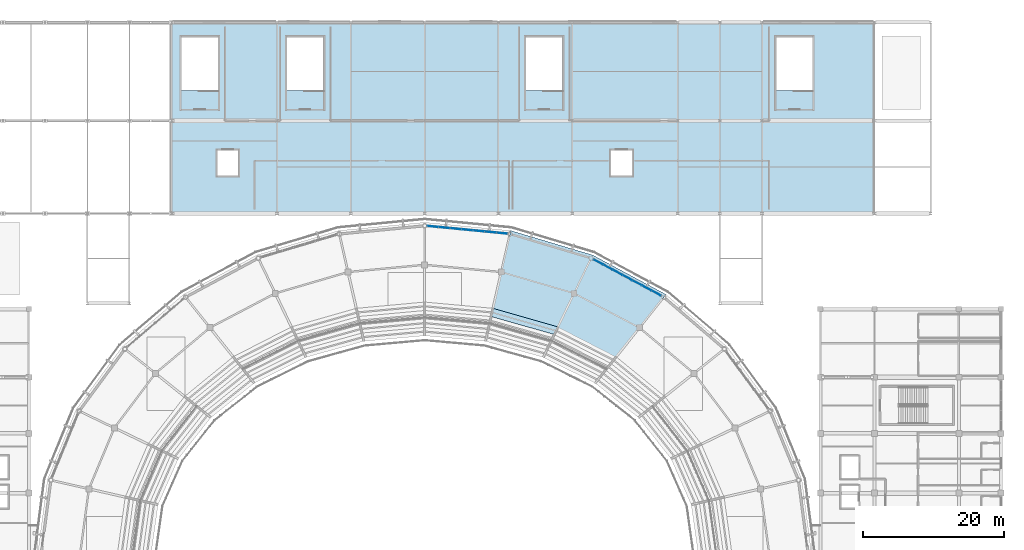
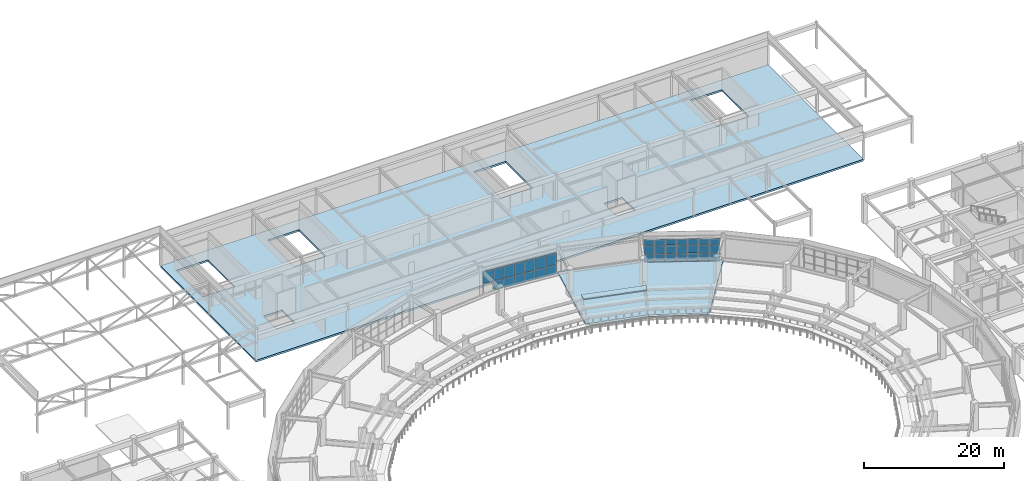
# One storey, part 86 of 122: 34 plates, 3 slabs, 2 elements without a shape of their own.
"""IFC4 building model written with IfcOpenShell, lengths in metres."""

import ifcopenshell
import ifcopenshell.guid

model = None  # the IFC model being written
_history = None  # IfcOwnerHistory: only IFC2X3 demands one
_inside = {}  # id of a spatial element -> (the spatial element, [elements in it])
_under = {}  # id of a project, library or spatial element -> (it, [spatial elements below it])
_declared = {}  # id of a project -> (the project, [libraries it declares])
_typed = {}  # id of a type object -> (the type object, [elements of that type])
_made_of = {}  # id of a material, layer set ... -> (it, [elements and type objects made of it])


def new_model(schema):
    """Start an empty IFC model of exactly this schema.

    Asked for "IFC4X3", IfcOpenShell would pick the latest addendum, in which some entities
    have other attributes; the version numbers below select the first issue.
    IFC2X3 requires an IfcOwnerHistory on every rooted entity: one is made here for all.
    """
    global model, _history
    if schema == "IFC4X3":
        model = ifcopenshell.file(schema_version=(4, 3, 0, 0))
    else:
        model = ifcopenshell.file(schema=schema)
    _inside.clear()
    _under.clear()
    _declared.clear()
    _typed.clear()
    _made_of.clear()
    _history = None
    if model.schema == "IFC2X3":
        org = make("IfcOrganization", Name="unknown")
        user = make(
            "IfcPersonAndOrganization",
            ThePerson=make("IfcPerson", FamilyName="unknown"),
            TheOrganization=org,
        )
        app = make(
            "IfcApplication",
            ApplicationDeveloper=org,
            Version="unknown",
            ApplicationFullName="unknown",
            ApplicationIdentifier="unknown",
        )
        _history = make(
            "IfcOwnerHistory",
            OwningUser=user,
            OwningApplication=app,
            ChangeAction="ADDED",
            CreationDate=0,
        )
    return model


def make(cls, **values):
    """One entity of the class cls with the attributes given. An attribute that is None is left unset."""
    return model.create_entity(
        cls, **{name: value for name, value in values.items() if value is not None}
    )


def rooted(cls, **values):
    """An entity with a GlobalId (a new one), such as an element, a storey or a relation."""
    return make(cls, GlobalId=ifcopenshell.guid.new(), OwnerHistory=_history, **values)


def si_unit(unit_type, name, prefix=None):
    """IfcSIUnit, for example si_unit("LENGTHUNIT", "METRE", prefix="MILLI")."""
    return make("IfcSIUnit", UnitType=unit_type, Prefix=prefix, Name=name)


def assignment(units):
    """IfcUnitAssignment: the units of a project."""
    return None if units is None else make("IfcUnitAssignment", Units=units)


def point(xyz):
    """IfcCartesianPoint."""
    return None if xyz is None else make("IfcCartesianPoint", Coordinates=xyz)


def direction(xyz):
    """IfcDirection."""
    return None if xyz is None else make("IfcDirection", DirectionRatios=xyz)


def frame(location, z_axis=None, x_axis=None):
    """IfcAxis2Placement3D, a coordinate frame: its origin and axes. An axis left out is left unset."""
    return make(
        "IfcAxis2Placement3D",
        Location=point(location),
        Axis=direction(z_axis),
        RefDirection=direction(x_axis),
    )


def frame_2d(location, x_axis=None):
    """IfcAxis2Placement2D, a coordinate frame in the plane: its origin and x axis."""
    return make(
        "IfcAxis2Placement2D", Location=point(location), RefDirection=direction(x_axis)
    )


def origin():
    """The frame at (0, 0, 0) with its axes left unset."""
    return frame((0.0, 0.0, 0.0))


def origin_2d():
    """The frame at (0, 0) in the plane with its x axis left unset."""
    return frame_2d((0.0, 0.0))


def place(relative_to, where):
    """IfcLocalPlacement: puts the frame where relative to a parent placement (None: the world)."""
    return make(
        "IfcLocalPlacement", PlacementRelTo=relative_to, RelativePlacement=where
    )


def context(
    kind, dimensions, precision=None, world=None, true_north=None, identifier=None
):
    """IfcGeometricRepresentationContext, for example the 3D "Model" context."""
    return make(
        "IfcGeometricRepresentationContext",
        ContextIdentifier=identifier,
        ContextType=kind,
        CoordinateSpaceDimension=dimensions,
        Precision=precision,
        WorldCoordinateSystem=world,
        TrueNorth=true_north,
    )


def subcontext(parent, identifier, kind, view, scale=None):
    """IfcGeometricRepresentationSubContext, for example "Body" below "Model"."""
    return make(
        "IfcGeometricRepresentationSubContext",
        ContextIdentifier=identifier,
        ContextType=kind,
        ParentContext=parent,
        TargetScale=scale,
        TargetView=view,
    )


def project(units=None, contexts=None):
    """IfcProject with its units and contexts."""
    return rooted(
        "IfcProject",
        Name="project",
        RepresentationContexts=contexts,
        UnitsInContext=assignment(units),
    )


def spatial(cls, under=None, at=None, **own):
    """A site, building, storey or space (cls), placed at a placement, below another one or the project."""
    s = rooted(cls, ObjectPlacement=at, **own)
    if under is not None:
        _under.setdefault(under.id(), (under, []))[1].append(s)
    return s


def polyline(points):
    """IfcPolyline through the points."""
    return make("IfcPolyline", Points=[point(p) for p in points])


def profile(cls, at=None, kind="AREA", **sizes):
    """A parametric profile (cls). Its sizes go by their IFC names, for example OverallWidth=200.0."""
    return make(cls, ProfileType=kind, Position=at, **sizes)


def rectangle(**sizes):
    """IfcRectangleProfileDef."""
    return profile("IfcRectangleProfileDef", **sizes)


def outline(outer, holes=None, kind="AREA"):
    """IfcArbitraryClosedProfileDef: a profile drawn as a closed curve; with holes, ...WithVoids."""
    if holes is None:
        return make("IfcArbitraryClosedProfileDef", ProfileType=kind, OuterCurve=outer)
    return make(
        "IfcArbitraryProfileDefWithVoids",
        ProfileType=kind,
        OuterCurve=outer,
        InnerCurves=holes,
    )


def extrude(swept, where, along, depth):
    """IfcExtrudedAreaSolid: the profile swept, set in the frame where, extruded along a direction by depth."""
    return make(
        "IfcExtrudedAreaSolid",
        SweptArea=swept,
        Position=where,
        ExtrudedDirection=direction(along),
        Depth=depth,
    )


def shape(context_of_items, identifier, shape_type, items):
    """IfcShapeRepresentation: the items that make up one representation, for example the "Body"."""
    return make(
        "IfcShapeRepresentation",
        ContextOfItems=context_of_items,
        RepresentationIdentifier=identifier,
        RepresentationType=shape_type,
        Items=items,
    )


def material(Name=None, Category=None):
    """IfcMaterial."""
    return make("IfcMaterial", Name=Name, Category=Category)


def layer(
    of_material, thickness, ventilated=None, Name=None, Category=None, Priority=None
):
    """IfcMaterialLayer: one layer of a wall or slab, of a material (None: an air gap)."""
    return make(
        "IfcMaterialLayer",
        Material=of_material,
        LayerThickness=thickness,
        IsVentilated=ventilated,
        Name=Name,
        Category=Category,
        Priority=Priority,
    )


def layer_set(layers, Name=None):
    """IfcMaterialLayerSet."""
    return make("IfcMaterialLayerSet", MaterialLayers=layers, LayerSetName=Name)


def made_of(thing, what):
    """Note that an element or type object is made of a material, layer set ...; save() writes the relation."""
    if what is not None:
        _made_of.setdefault(what.id(), (what, []))[1].append(thing)
    return thing


def type_object(cls, material=None, **own):
    """A type object (cls), such as IfcWallType, which elements share."""
    return made_of(rooted(cls, **own), material)


def element(
    cls,
    number,
    at=None,
    inside=None,
    cuts=None,
    type_object=None,
    material=None,
    context=None,
    identifier="Body",
    shape_type=None,
    held_by="IfcProductDefinitionShape",
    body=None,
    shapes=None,
    **own,
):
    """One element of the class cls, such as IfcWall. Its Tag is "e" and its number.

    at: its placement. inside: the storey or other place that contains it. cuts: it is an
    opening in that element (IfcRelVoidsElement). A single representation is given by context,
    identifier, shape_type and body (its items); several are given by shapes. held_by: the class
    of the entity that holds the representations. save() writes the other relations.
    """
    e = rooted(cls, Tag="e%d" % number, ObjectPlacement=at, **own)
    if body is not None:
        shapes = [shape(context, identifier, shape_type, body)]
    if shapes is not None:
        e.Representation = make(held_by, Representations=shapes)
    if inside is not None:
        _inside.setdefault(inside.id(), (inside, []))[1].append(e)
    if cuts is not None:
        rooted(
            "IfcRelVoidsElement", RelatingBuildingElement=cuts, RelatedOpeningElement=e
        )
    if type_object is not None:
        _typed.setdefault(type_object.id(), (type_object, []))[1].append(e)
    return made_of(e, material)


def aggregate(whole, parts):
    """IfcRelAggregates: a whole, such as a stair, and the parts it consists of."""
    return rooted("IfcRelAggregates", RelatingObject=whole, RelatedObjects=parts)


def save(model, path):
    """Write the relations noted so far, then the file.

    IfcRelAggregates (storeys below a building ...), IfcRelContainedInSpatialStructure (elements
    in a storey), IfcRelDefinesByType, IfcRelAssociatesMaterial and IfcRelDeclares: one each for
    every whole, place, type object, material and project.
    """
    for whole, parts in _under.values():
        aggregate(whole, parts)
    for where, things in _inside.values():
        rooted(
            "IfcRelContainedInSpatialStructure",
            RelatedElements=things,
            RelatingStructure=where,
        )
    for kind, things in _typed.values():
        rooted("IfcRelDefinesByType", RelatedObjects=things, RelatingType=kind)
    for what, things in _made_of.values():
        rooted("IfcRelAssociatesMaterial", RelatedObjects=things, RelatingMaterial=what)
    for by, libraries in _declared.values():
        rooted("IfcRelDeclares", RelatingContext=by, RelatedDefinitions=libraries)
    model.write(path)


model = new_model("IFC4")

# Units and contexts
model_context = context("Model", 3, precision=1e-05, world=origin(), true_north=direction((0.0, 1.0)))
body_context = subcontext(model_context, "Body", "Model", "MODEL_VIEW")
ifc_project = project(units=[si_unit("LENGTHUNIT", "METRE"), si_unit("AREAUNIT", "SQUARE_METRE"), si_unit("VOLUMEUNIT", "CUBIC_METRE"), si_unit("PLANEANGLEUNIT", "RADIAN"), si_unit("MASSUNIT", "GRAM", prefix="KILO")], contexts=[model_context])

# Site, building, storey
site_placement = place(None, origin())
site = spatial("IfcSite", under=ifc_project, at=site_placement, CompositionType="ELEMENT")
building_placement = place(site_placement, origin())
building = spatial("IfcBuilding", under=site, at=building_placement, Name="Cuetzalor Civic Arena", CompositionType="ELEMENT")
storey_placement = place(building_placement, frame((0.0, 0.0, 16.199951171875)))
storey = spatial("IfcBuildingStorey", under=building, at=storey_placement, Name="L03", CompositionType="ELEMENT", Elevation=16.199951171875)

# Curtain wall, plates
ifc_material_1 = material(Name="Anodised dark bronze aluminium and low-E solar glass", Category="aluminium")
curtain_wall_type_1 = type_object("IfcCurtainWallType", Name="UnitisedCW_10950x4050", PredefinedType="USERDEFINED", material=ifc_material_1)
curtain_wall_1_placement = place(storey_placement, origin())
curtain_wall_1 = element("IfcCurtainWall", 1, at=curtain_wall_1_placement, inside=storey, type_object=curtain_wall_type_1, Name="Drum Triangle Foyer Curtain Wall L03-046", ObjectType="UNITISED CURTAIN WALL", PredefinedType="USERDEFINED")
ifc_material_2 = material(Name="Acoustic laminated solar control glass", Category="glass")
ifc_layer_1 = layer(ifc_material_2, 0.0439453125)
ifc_layer_set_1 = layer_set([ifc_layer_1], Name="Acoustic laminated solar control glass")
plate_type = type_object("IfcPlateType", Name="AcousticTripleGlazedPanel_44", PredefinedType="CURTAIN_PANEL", material=ifc_layer_set_1)
plate_1_placement = place(storey_placement, frame((24.7197265625, 41.37646484375, 0.06494140625), z_axis=(0.0, 0.0, 1.0), x_axis=(0.881306344124, -0.472545371163, 0.0)))
plate_1 = element("IfcPlate", 2, at=plate_1_placement, type_object=plate_type, Name="CW-13 panel 1.1", PredefinedType="CURTAIN_PANEL", context=body_context, shape_type="SweptSolid", body=[
    extrude(rectangle(XDim=1.46630859375, YDim=0.0439453125, at=origin_2d()), origin(), (0.0, 0.0, 1.0), 1.361572265625),
])
plate_2_placement = place(storey_placement, frame((24.7197265625, 41.37646484375, 1.491455078125), z_axis=(0.0, 0.0, 1.0), x_axis=(0.881306344124, -0.472545371163, 0.0)))
plate_2 = element("IfcPlate", 3, at=plate_2_placement, type_object=plate_type, Name="CW-13 panel 1.2", PredefinedType="CURTAIN_PANEL", context=body_context, shape_type="SweptSolid", body=[
    extrude(rectangle(XDim=1.46630859375, YDim=0.0439453125, at=origin_2d()), origin(), (0.0, 0.0, 1.0), 1.39404296875),
])
plate_3_placement = place(storey_placement, frame((24.7197265625, 41.37646484375, 2.950439453125), z_axis=(0.0, 0.0, 1.0), x_axis=(0.881306344124, -0.472545371163, 0.0)))
plate_3 = element("IfcPlate", 4, at=plate_3_placement, type_object=plate_type, Name="CW-13 panel 1.3", PredefinedType="CURTAIN_PANEL", context=body_context, shape_type="SweptSolid", body=[
    extrude(rectangle(XDim=1.46630859375, YDim=0.0439453125, at=origin_2d()), origin(), (0.0, 0.0, 1.0), 1.03759765625),
])
plate_4_placement = place(storey_placement, frame((26.08349609375, 40.64501953125, 0.06494140625), z_axis=(0.0, 0.0, 1.0), x_axis=(0.881306344124, -0.472545371163, 0.0)))
plate_4 = element("IfcPlate", 5, at=plate_4_placement, type_object=plate_type, Name="CW-13 panel 2.1", PredefinedType="CURTAIN_PANEL", context=body_context, shape_type="SweptSolid", body=[
    extrude(rectangle(XDim=1.498779296875, YDim=0.0439453125, at=origin_2d()), origin(), (0.0, 0.0, 1.0), 1.361572265625),
])
plate_5_placement = place(storey_placement, frame((26.08349609375, 40.64501953125, 1.491455078125), z_axis=(0.0, 0.0, 1.0), x_axis=(0.881306344124, -0.472545371163, 0.0)))
plate_5 = element("IfcPlate", 6, at=plate_5_placement, type_object=plate_type, Name="CW-13 panel 2.2", PredefinedType="CURTAIN_PANEL", context=body_context, shape_type="SweptSolid", body=[
    extrude(rectangle(XDim=1.498779296875, YDim=0.0439453125, at=origin_2d()), origin(), (0.0, 0.0, 1.0), 1.39404296875),
])
plate_6_placement = place(storey_placement, frame((26.08349609375, 40.64501953125, 2.950439453125), z_axis=(0.0, 0.0, 1.0), x_axis=(0.881306344124, -0.472545371163, 0.0)))
plate_6 = element("IfcPlate", 7, at=plate_6_placement, type_object=plate_type, Name="CW-13 panel 2.3", PredefinedType="CURTAIN_PANEL", context=body_context, shape_type="SweptSolid", body=[
    extrude(rectangle(XDim=1.498779296875, YDim=0.0439453125, at=origin_2d()), origin(), (0.0, 0.0, 1.0), 1.03759765625),
])
plate_7_placement = place(storey_placement, frame((27.461669921875, 39.90625, 0.06494140625), z_axis=(0.0, 0.0, 1.0), x_axis=(0.881306344124, -0.472545371163, 0.0)))
plate_7 = element("IfcPlate", 8, at=plate_7_placement, type_object=plate_type, Name="CW-13 panel 3.1", PredefinedType="CURTAIN_PANEL", context=body_context, shape_type="SweptSolid", body=[
    extrude(rectangle(XDim=1.498779296875, YDim=0.0439453125, at=origin_2d()), origin(), (0.0, 0.0, 1.0), 1.361572265625),
])
plate_8_placement = place(storey_placement, frame((27.461669921875, 39.90625, 1.491455078125), z_axis=(0.0, 0.0, 1.0), x_axis=(0.881306344124, -0.472545371163, 0.0)))
plate_8 = element("IfcPlate", 9, at=plate_8_placement, type_object=plate_type, Name="CW-13 panel 3.2", PredefinedType="CURTAIN_PANEL", context=body_context, shape_type="SweptSolid", body=[
    extrude(rectangle(XDim=1.498779296875, YDim=0.0439453125, at=origin_2d()), origin(), (0.0, 0.0, 1.0), 1.39404296875),
])
plate_9_placement = place(storey_placement, frame((27.461669921875, 39.90625, 2.950439453125), z_axis=(0.0, 0.0, 1.0), x_axis=(0.881306344124, -0.472545371163, 0.0)))
plate_9 = element("IfcPlate", 10, at=plate_9_placement, type_object=plate_type, Name="CW-13 panel 3.3", PredefinedType="CURTAIN_PANEL", context=body_context, shape_type="SweptSolid", body=[
    extrude(rectangle(XDim=1.498779296875, YDim=0.0439453125, at=origin_2d()), origin(), (0.0, 0.0, 1.0), 1.03759765625),
])
plate_10_placement = place(storey_placement, frame((28.83984375, 39.167236328125, 0.06494140625), z_axis=(0.0, 0.0, 1.0), x_axis=(0.881306344124, -0.472545371163, 0.0)))
plate_10 = element("IfcPlate", 11, at=plate_10_placement, type_object=plate_type, Name="CW-13 panel 4.1", PredefinedType="CURTAIN_PANEL", context=body_context, shape_type="SweptSolid", body=[
    extrude(rectangle(XDim=1.498779296875, YDim=0.0439453125, at=origin_2d()), origin(), (0.0, 0.0, 1.0), 1.361572265625),
])
plate_11_placement = place(storey_placement, frame((28.83984375, 39.167236328125, 1.491455078125), z_axis=(0.0, 0.0, 1.0), x_axis=(0.881306344124, -0.472545371163, 0.0)))
plate_11 = element("IfcPlate", 12, at=plate_11_placement, type_object=plate_type, Name="CW-13 panel 4.2", PredefinedType="CURTAIN_PANEL", context=body_context, shape_type="SweptSolid", body=[
    extrude(rectangle(XDim=1.498779296875, YDim=0.0439453125, at=origin_2d()), origin(), (0.0, 0.0, 1.0), 1.39404296875),
])
plate_12_placement = place(storey_placement, frame((28.83984375, 39.167236328125, 2.950439453125), z_axis=(0.0, 0.0, 1.0), x_axis=(0.881306344124, -0.472545371163, 0.0)))
plate_12 = element("IfcPlate", 13, at=plate_12_placement, type_object=plate_type, Name="CW-13 panel 4.3", PredefinedType="CURTAIN_PANEL", context=body_context, shape_type="SweptSolid", body=[
    extrude(rectangle(XDim=1.498779296875, YDim=0.0439453125, at=origin_2d()), origin(), (0.0, 0.0, 1.0), 1.03759765625),
])
plate_13_placement = place(storey_placement, frame((30.218017578125, 38.42822265625, 0.06494140625), z_axis=(0.0, 0.0, 1.0), x_axis=(0.881306344124, -0.472545371163, 0.0)))
plate_13 = element("IfcPlate", 14, at=plate_13_placement, type_object=plate_type, Name="CW-13 panel 5.1", PredefinedType="CURTAIN_PANEL", context=body_context, shape_type="SweptSolid", body=[
    extrude(rectangle(XDim=1.498779296875, YDim=0.0439453125, at=origin_2d()), origin(), (0.0, 0.0, 1.0), 1.361572265625),
])
plate_14_placement = place(storey_placement, frame((30.218017578125, 38.42822265625, 1.491455078125), z_axis=(0.0, 0.0, 1.0), x_axis=(0.881306344124, -0.472545371163, 0.0)))
plate_14 = element("IfcPlate", 15, at=plate_14_placement, type_object=plate_type, Name="CW-13 panel 5.2", PredefinedType="CURTAIN_PANEL", context=body_context, shape_type="SweptSolid", body=[
    extrude(rectangle(XDim=1.498779296875, YDim=0.0439453125, at=origin_2d()), origin(), (0.0, 0.0, 1.0), 1.39404296875),
])
plate_15_placement = place(storey_placement, frame((30.218017578125, 38.42822265625, 2.950439453125), z_axis=(0.0, 0.0, 1.0), x_axis=(0.881306344124, -0.472545371163, 0.0)))
plate_15 = element("IfcPlate", 16, at=plate_15_placement, type_object=plate_type, Name="CW-13 panel 5.3", PredefinedType="CURTAIN_PANEL", context=body_context, shape_type="SweptSolid", body=[
    extrude(rectangle(XDim=1.498779296875, YDim=0.0439453125, at=origin_2d()), origin(), (0.0, 0.0, 1.0), 1.03759765625),
])
plate_16_placement = place(storey_placement, frame((31.59619140625, 37.689208984375, 0.06494140625), z_axis=(0.0, 0.0, 1.0), x_axis=(0.881306344124, -0.472545371163, 0.0)))
plate_16 = element("IfcPlate", 17, at=plate_16_placement, type_object=plate_type, Name="CW-13 panel 6.1", PredefinedType="CURTAIN_PANEL", context=body_context, shape_type="SweptSolid", body=[
    extrude(rectangle(XDim=1.498779296875, YDim=0.0439453125, at=origin_2d()), origin(), (0.0, 0.0, 1.0), 1.361572265625),
])
plate_17_placement = place(storey_placement, frame((31.59619140625, 37.689208984375, 1.491455078125), z_axis=(0.0, 0.0, 1.0), x_axis=(0.881306344124, -0.472545371163, 0.0)))
plate_17 = element("IfcPlate", 18, at=plate_17_placement, type_object=plate_type, Name="CW-13 panel 6.2", PredefinedType="CURTAIN_PANEL", context=body_context, shape_type="SweptSolid", body=[
    extrude(rectangle(XDim=1.498779296875, YDim=0.0439453125, at=origin_2d()), origin(), (0.0, 0.0, 1.0), 1.39404296875),
])
plate_18_placement = place(storey_placement, frame((31.59619140625, 37.689208984375, 2.950439453125), z_axis=(0.0, 0.0, 1.0), x_axis=(0.881306344124, -0.472545371163, 0.0)))
plate_18 = element("IfcPlate", 19, at=plate_18_placement, type_object=plate_type, Name="CW-13 panel 6.3", PredefinedType="CURTAIN_PANEL", context=body_context, shape_type="SweptSolid", body=[
    extrude(rectangle(XDim=1.498779296875, YDim=0.0439453125, at=origin_2d()), origin(), (0.0, 0.0, 1.0), 1.03759765625),
])
plate_19_placement = place(storey_placement, frame((32.9599609375, 36.9580078125, 0.06494140625), z_axis=(0.0, 0.0, 1.0), x_axis=(0.881306344124, -0.472545371163, 0.0)))
plate_19 = element("IfcPlate", 20, at=plate_19_placement, type_object=plate_type, Name="CW-13 panel 7.1", PredefinedType="CURTAIN_PANEL", context=body_context, shape_type="SweptSolid", body=[
    extrude(rectangle(XDim=1.46630859375, YDim=0.0439453125, at=origin_2d()), origin(), (0.0, 0.0, 1.0), 1.361572265625),
])
plate_20_placement = place(storey_placement, frame((32.9599609375, 36.9580078125, 1.491455078125), z_axis=(0.0, 0.0, 1.0), x_axis=(0.881306344124, -0.472545371163, 0.0)))
plate_20 = element("IfcPlate", 21, at=plate_20_placement, type_object=plate_type, Name="CW-13 panel 7.2", PredefinedType="CURTAIN_PANEL", context=body_context, shape_type="SweptSolid", body=[
    extrude(rectangle(XDim=1.46630859375, YDim=0.0439453125, at=origin_2d()), origin(), (0.0, 0.0, 1.0), 1.39404296875),
])
plate_21_placement = place(storey_placement, frame((32.9599609375, 36.9580078125, 2.950439453125), z_axis=(0.0, 0.0, 1.0), x_axis=(0.881306344124, -0.472545371163, 0.0)))
plate_21 = element("IfcPlate", 22, at=plate_21_placement, type_object=plate_type, Name="CW-13 panel 7.3", PredefinedType="CURTAIN_PANEL", context=body_context, shape_type="SweptSolid", body=[
    extrude(rectangle(XDim=1.46630859375, YDim=0.0439453125, at=origin_2d()), origin(), (0.0, 0.0, 1.0), 1.03759765625),
])
aggregate(curtain_wall_1, [plate_1, plate_2, plate_3, plate_4, plate_5, plate_6, plate_7, plate_8, plate_9, plate_10, plate_11, plate_12, plate_13, plate_14, plate_15, plate_16, plate_17, plate_18, plate_19, plate_20, plate_21])

ifc_material_3 = material(Name="Anodised dark bronze aluminium and low-E solar glass", Category="aluminium")
curtain_wall_type_2 = type_object("IfcCurtainWallType", Name="UnitisedCW_11550x3850", PredefinedType="USERDEFINED", material=ifc_material_3)
curtain_wall_2_placement = place(storey_placement, origin())
curtain_wall_2 = element("IfcCurtainWall", 23, at=curtain_wall_2_placement, inside=storey, type_object=curtain_wall_type_2, Name="Drum Triangle Foyer Curtain Wall L03-047", ObjectType="UNITISED CURTAIN WALL", PredefinedType="USERDEFINED")
plate_22_placement = place(storey_placement, frame((1.15185546875, 46.439208984375, 1.75634765625), z_axis=(0.0, 0.0, 1.0), x_axis=(0.995409139996, -0.095711253324, 0.0)))
plate_22 = element("IfcPlate", 24, at=plate_22_placement, type_object=plate_type, Name="CW-14 panel 1.2", PredefinedType="CURTAIN_PANEL", context=body_context, shape_type="SweptSolid", body=[
    extrude(rectangle(XDim=1.5546875, YDim=0.0439453125, at=origin_2d()), origin(), (0.0, 0.0, 1.0), 2.010498046875),
])
plate_23_placement = place(storey_placement, frame((2.780029296875, 46.28271484375, 0.065185546875), z_axis=(0.0, 0.0, 1.0), x_axis=(0.995409139996, -0.095711253324, 0.0)))
plate_23 = element("IfcPlate", 25, at=plate_23_placement, type_object=plate_type, Name="CW-14 panel 2.1", PredefinedType="CURTAIN_PANEL", context=body_context, shape_type="SweptSolid", body=[
    extrude(rectangle(XDim=1.587158203125, YDim=0.0439453125, at=origin_2d()), origin(), (0.0, 0.0, 1.0), 1.62646484375),
])
plate_24_placement = place(storey_placement, frame((2.780029296875, 46.28271484375, 1.75634765625), z_axis=(0.0, 0.0, 1.0), x_axis=(0.995409139996, -0.095711253324, 0.0)))
plate_24 = element("IfcPlate", 26, at=plate_24_placement, type_object=plate_type, Name="CW-14 panel 2.2", PredefinedType="CURTAIN_PANEL", context=body_context, shape_type="SweptSolid", body=[
    extrude(rectangle(XDim=1.587158203125, YDim=0.0439453125, at=origin_2d()), origin(), (0.0, 0.0, 1.0), 2.010498046875),
])
plate_25_placement = place(storey_placement, frame((4.4248046875, 46.12451171875, 0.065185546875), z_axis=(0.0, 0.0, 1.0), x_axis=(0.995409139996, -0.095711253324, 0.0)))
plate_25 = element("IfcPlate", 27, at=plate_25_placement, type_object=plate_type, Name="CW-14 panel 3.1", PredefinedType="CURTAIN_PANEL", context=body_context, shape_type="SweptSolid", body=[
    extrude(rectangle(XDim=1.587158203125, YDim=0.0439453125, at=origin_2d()), origin(), (0.0, 0.0, 1.0), 1.62646484375),
])
plate_26_placement = place(storey_placement, frame((4.4248046875, 46.12451171875, 1.75634765625), z_axis=(0.0, 0.0, 1.0), x_axis=(0.995409139996, -0.095711253324, 0.0)))
plate_26 = element("IfcPlate", 28, at=plate_26_placement, type_object=plate_type, Name="CW-14 panel 3.2", PredefinedType="CURTAIN_PANEL", context=body_context, shape_type="SweptSolid", body=[
    extrude(rectangle(XDim=1.587158203125, YDim=0.0439453125, at=origin_2d()), origin(), (0.0, 0.0, 1.0), 2.010498046875),
])
plate_27_placement = place(storey_placement, frame((6.0693359375, 45.966552734375, 0.065185546875), z_axis=(0.0, 0.0, 1.0), x_axis=(0.995409139996, -0.095711253324, 0.0)))
plate_27 = element("IfcPlate", 29, at=plate_27_placement, type_object=plate_type, Name="CW-14 panel 4.1", PredefinedType="CURTAIN_PANEL", context=body_context, shape_type="SweptSolid", body=[
    extrude(rectangle(XDim=1.587158203125, YDim=0.0439453125, at=origin_2d()), origin(), (0.0, 0.0, 1.0), 1.62646484375),
])
plate_28_placement = place(storey_placement, frame((6.0693359375, 45.966552734375, 1.75634765625), z_axis=(0.0, 0.0, 1.0), x_axis=(0.995409139996, -0.095711253324, 0.0)))
plate_28 = element("IfcPlate", 30, at=plate_28_placement, type_object=plate_type, Name="CW-14 panel 4.2", PredefinedType="CURTAIN_PANEL", context=body_context, shape_type="SweptSolid", body=[
    extrude(rectangle(XDim=1.587158203125, YDim=0.0439453125, at=origin_2d()), origin(), (0.0, 0.0, 1.0), 2.010498046875),
])
plate_29_placement = place(storey_placement, frame((7.7138671875, 45.808349609375, 0.065185546875), z_axis=(0.0, 0.0, 1.0), x_axis=(0.995409139996, -0.095711253324, 0.0)))
plate_29 = element("IfcPlate", 31, at=plate_29_placement, type_object=plate_type, Name="CW-14 panel 5.1", PredefinedType="CURTAIN_PANEL", context=body_context, shape_type="SweptSolid", body=[
    extrude(rectangle(XDim=1.587158203125, YDim=0.0439453125, at=origin_2d()), origin(), (0.0, 0.0, 1.0), 1.62646484375),
])
plate_30_placement = place(storey_placement, frame((7.7138671875, 45.808349609375, 1.75634765625), z_axis=(0.0, 0.0, 1.0), x_axis=(0.995409139996, -0.095711253324, 0.0)))
plate_30 = element("IfcPlate", 32, at=plate_30_placement, type_object=plate_type, Name="CW-14 panel 5.2", PredefinedType="CURTAIN_PANEL", context=body_context, shape_type="SweptSolid", body=[
    extrude(rectangle(XDim=1.587158203125, YDim=0.0439453125, at=origin_2d()), origin(), (0.0, 0.0, 1.0), 2.010498046875),
])
plate_31_placement = place(storey_placement, frame((9.3583984375, 45.650146484375, 0.065185546875), z_axis=(0.0, 0.0, 1.0), x_axis=(0.995409139996, -0.095711253324, 0.0)))
plate_31 = element("IfcPlate", 33, at=plate_31_placement, type_object=plate_type, Name="CW-14 panel 6.1", PredefinedType="CURTAIN_PANEL", context=body_context, shape_type="SweptSolid", body=[
    extrude(rectangle(XDim=1.587158203125, YDim=0.0439453125, at=origin_2d()), origin(), (0.0, 0.0, 1.0), 1.62646484375),
])
plate_32_placement = place(storey_placement, frame((9.3583984375, 45.650146484375, 1.75634765625), z_axis=(0.0, 0.0, 1.0), x_axis=(0.995409139996, -0.095711253324, 0.0)))
plate_32 = element("IfcPlate", 34, at=plate_32_placement, type_object=plate_type, Name="CW-14 panel 6.2", PredefinedType="CURTAIN_PANEL", context=body_context, shape_type="SweptSolid", body=[
    extrude(rectangle(XDim=1.587158203125, YDim=0.0439453125, at=origin_2d()), origin(), (0.0, 0.0, 1.0), 2.010498046875),
])
plate_33_placement = place(storey_placement, frame((10.98681640625, 45.49365234375, 0.065185546875), z_axis=(0.0, 0.0, 1.0), x_axis=(0.995409139996, -0.095711253324, 0.0)))
plate_33 = element("IfcPlate", 35, at=plate_33_placement, type_object=plate_type, Name="CW-14 panel 7.1", PredefinedType="CURTAIN_PANEL", context=body_context, shape_type="SweptSolid", body=[
    extrude(rectangle(XDim=1.5546875, YDim=0.0439453125, at=origin_2d()), origin(), (0.0, 0.0, 1.0), 1.62646484375),
])
plate_34_placement = place(storey_placement, frame((10.98681640625, 45.49365234375, 1.75634765625), z_axis=(0.0, 0.0, 1.0), x_axis=(0.995409139996, -0.095711253324, 0.0)))
plate_34 = element("IfcPlate", 36, at=plate_34_placement, type_object=plate_type, Name="CW-14 panel 7.2", PredefinedType="CURTAIN_PANEL", context=body_context, shape_type="SweptSolid", body=[
    extrude(rectangle(XDim=1.5546875, YDim=0.0439453125, at=origin_2d()), origin(), (0.0, 0.0, 1.0), 2.010498046875),
])
aggregate(curtain_wall_2, [plate_22, plate_23, plate_24, plate_25, plate_26, plate_27, plate_28, plate_29, plate_30, plate_31, plate_32, plate_33, plate_34])

# Slabs
ifc_material_4 = material(Name="Concrete C35/45", Category="concrete")
ifc_layer_2 = layer(ifc_material_4, 0.320068359375)
ifc_layer_set_2 = layer_set([ifc_layer_2], Name="Concrete C35/45")
slab_type_1 = type_object("IfcSlabType", Name="PlantHeavyFloorSlab_320", PredefinedType="FLOOR", material=ifc_layer_set_2)
slab_1_placement = place(storey_placement, frame((0.0, 0.0, -0.320068359375)))
element("IfcSlab", 37, at=slab_1_placement, inside=storey, type_object=slab_type_1, Name="North Wing Acoustic Plant Floor Slab L03", PredefinedType="FLOOR", context=body_context, shape_type="SweptSolid", body=[
    extrude(outline(polyline([(-36.0, 48.300048828125), (64.0, 48.300048828125), (64.0, 75.5), (-36.0, 75.5), (-36.0, 48.300048828125)]), holes=[polyline([(-34.60009765625, 65.800048828125), (-29.39990234375, 65.800048828125), (-29.39990234375, 73.39990234375), (-34.60009765625, 73.39990234375), (-34.60009765625, 65.800048828125)]), polyline([(-19.60009765625, 65.800048828125), (-14.39990234375, 65.800048828125), (-14.39990234375, 73.39990234375), (-19.60009765625, 73.39990234375), (-19.60009765625, 65.800048828125)]), polyline([(14.39990234375, 65.800048828125), (19.60009765625, 65.800048828125), (19.60009765625, 73.39990234375), (14.39990234375, 73.39990234375), (14.39990234375, 65.800048828125)]), polyline([(50.0, 65.800048828125), (55.199951171875, 65.800048828125), (55.199951171875, 73.39990234375), (50.0, 73.39990234375), (50.0, 65.800048828125)]), polyline([(-29.5, 53.699951171875), (-26.5, 53.699951171875), (-26.5, 57.300048828125), (-29.5, 57.300048828125), (-29.5, 53.699951171875)]), polyline([(26.5, 53.699951171875), (29.5, 53.699951171875), (29.5, 57.300048828125), (26.5, 57.300048828125), (26.5, 53.699951171875)])]), origin(), (0.0, 0.0, 1.0), 0.320068359375),
])
ifc_material_5 = material(Name="Concrete C35/45", Category="concrete")
ifc_layer_3 = layer(ifc_material_5, 0.280029296875)
ifc_layer_set_3 = layer_set([ifc_layer_3], Name="Concrete C35/45")
slab_type_2 = type_object("IfcSlabType", Name="SuspendedFloorSlab_280", PredefinedType="FLOOR", material=ifc_layer_set_3)
slab_2_placement = place(storey_placement, frame((0.0, 0.0, -0.280029296875)))
element("IfcSlab", 38, at=slab_2_placement, inside=storey, type_object=slab_type_2, Name="Arena Concourse Sector Slab L03-03", PredefinedType="FLOOR", context=body_context, shape_type="SweptSolid", body=[
    extrude(outline(polyline([(25.874755859375, 26.19140625), (18.006103515625, 30.1826171875), (9.234619140625, 32.66015625), (12.249755859375, 45.870361328125), (23.88525390625, 42.390625), (34.322998046875, 36.78515625), (25.874755859375, 26.19140625)])), origin(), (0.0, 0.0, 1.0), 0.280029296875),
])
ifc_material_6 = material(Name="Precast concrete C45/55", Category="concrete")
ifc_layer_4 = layer(ifc_material_6, 0.195068359375)
ifc_layer_set_4 = layer_set([ifc_layer_4], Name="Precast concrete C45/55")
slab_type_3 = type_object("IfcSlabType", Name="UpperBowlSeatingTier_160", PredefinedType="USERDEFINED", material=ifc_layer_set_4)
slab_3_placement = place(storey_placement, frame((0.0, 0.0, 3.455078125)))
element("IfcSlab", 39, at=slab_3_placement, inside=storey, type_object=slab_type_3, Name="Stand Upper Tier Bay 06 Row 4", ObjectType="SEATING TIER", PredefinedType="USERDEFINED", context=body_context, shape_type="SweptSolid", body=[
    extrude(outline(polyline([(18.440185546875, 31.08349609375), (9.45703125, 33.635009765625), (9.72412109375, 34.804931640625), (18.960693359375, 32.16455078125), (18.440185546875, 31.08349609375)])), origin(), (0.0, 0.0, 1.0), 0.195068359375),
])

save(model, "model.ifc")
